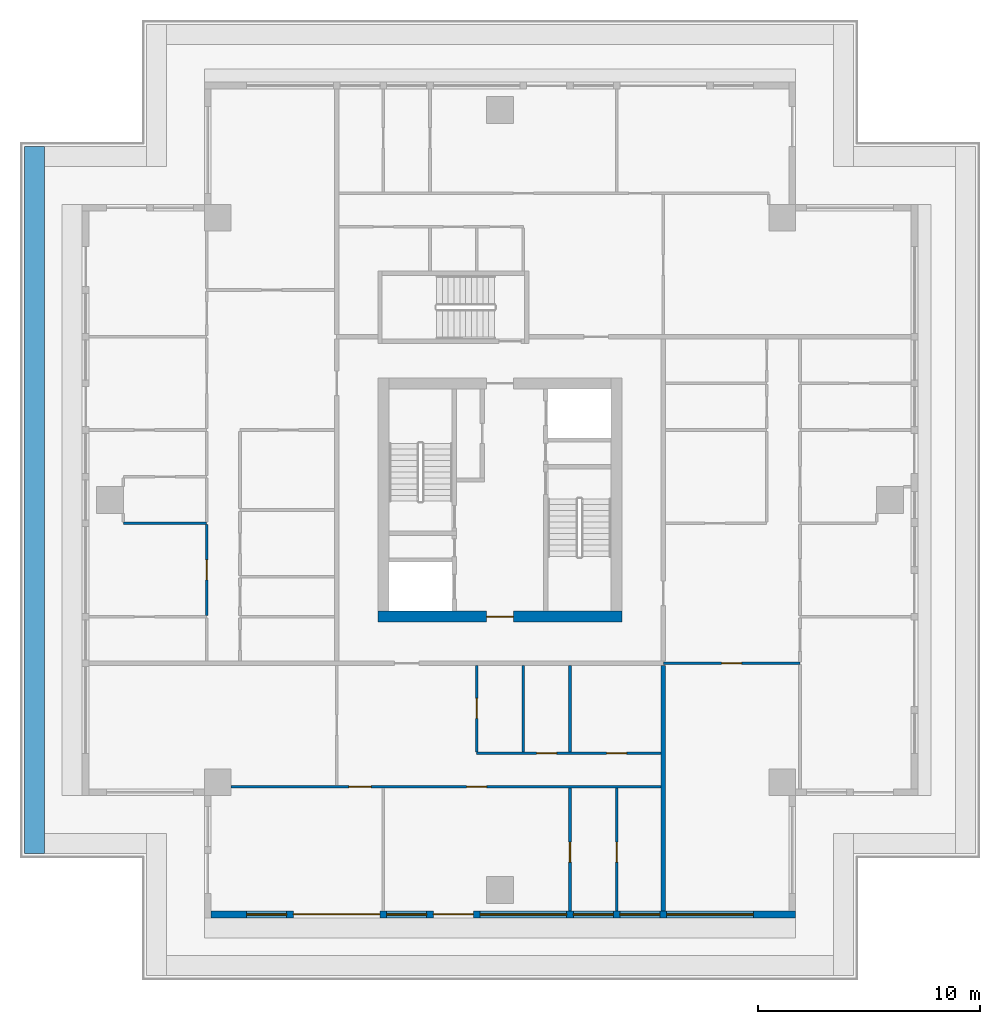
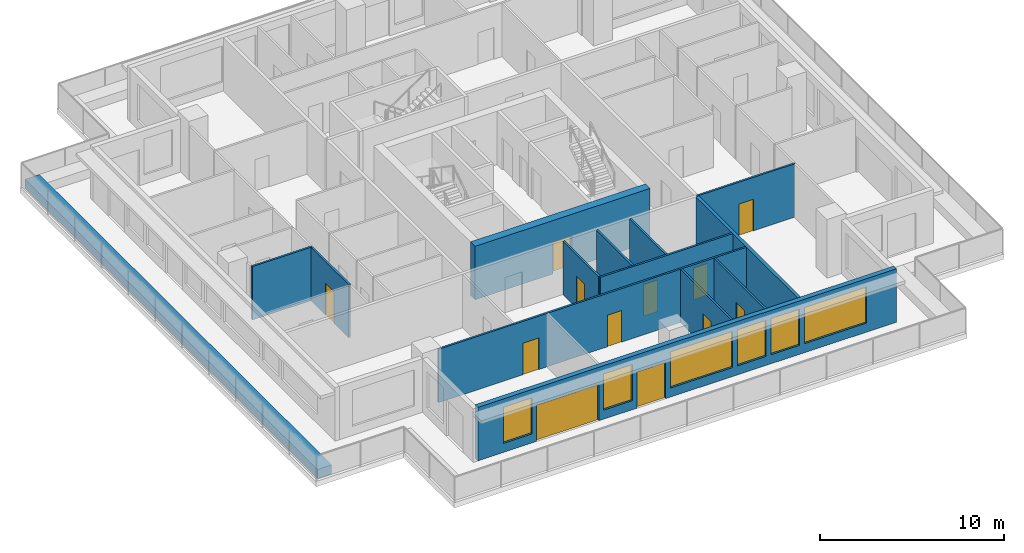
# One storey, part 2 of 10: 14 walls, 12 doors, 6 windows, 18 openings.
"""IFC4 building model written with IfcOpenShell, lengths in metres."""

from ifc_helpers import new_model, si_unit, direction, frame, frame_2d, origin, place, context, subcontext, project, spatial, rectangle, extrude, material, layer, layer_set, type_object, element, fill, save


model = new_model("IFC4")

# Units and contexts
model_context = context("Model", 3, precision=1e-05, world=origin(), true_north=direction((0.0, 1.0)))
body_context = subcontext(model_context, "Body", "Model", "MODEL_VIEW")
ifc_project = project(units=[si_unit("LENGTHUNIT", "METRE"), si_unit("AREAUNIT", "SQUARE_METRE"), si_unit("VOLUMEUNIT", "CUBIC_METRE"), si_unit("PLANEANGLEUNIT", "RADIAN"), si_unit("MASSUNIT", "GRAM", prefix="KILO")], contexts=[model_context])

# Site, building, storey
site_placement = place(None, origin())
site = spatial("IfcSite", under=ifc_project, at=site_placement, CompositionType="ELEMENT")
building_placement = place(site_placement, origin())
building = spatial("IfcBuilding", under=site, at=building_placement, Name="Khepri Terraces", CompositionType="ELEMENT")
storey_placement = place(building_placement, frame((0.0, 0.0, 300.60009765625)))
storey = spatial("IfcBuildingStorey", under=building, at=storey_placement, Name="L72", CompositionType="ELEMENT", Elevation=300.60009765625)

# Wall, opening, door
ifc_material_1 = material(Name="Concrete C40/50", Category="concrete")
ifc_layer_1 = layer(ifc_material_1, 0.5, Name="Concrete C40/50", Category="concrete")
ifc_layer_set_1 = layer_set([ifc_layer_1], Name="Concrete C40/50")
wall_type_1 = type_object("IfcWallType", Name="Core wall 500 C40/50", PredefinedType="SHEAR", material=ifc_layer_set_1)
wall_1_placement = place(storey_placement, frame((-5.5, -5.25, 0.0), z_axis=(0.0, 0.0, 1.0), x_axis=(1.0, 0.0, 0.0)))
wall_1 = element("IfcWall", 1, at=wall_1_placement, inside=storey, type_object=wall_type_1, Name="Core wall BX01 L72", PredefinedType="SHEAR", context=body_context, shape_type="SweptSolid", body=[
    extrude(rectangle(XDim=11.0, YDim=0.5, at=frame_2d((5.5, 0.0))), origin(), (0.0, 0.0, 1.0), 3.5498046875),
])
opening_1_placement = place(wall_1_placement, frame((4.89990234375, 0.0, 0.0)))
opening_1 = element("IfcOpeningElement", 2, at=opening_1_placement, cuts=wall_1, Name="Opening L72-C10", PredefinedType="OPENING", context=body_context, shape_type="SweptSolid", body=[
    extrude(rectangle(XDim=1.199951171875, YDim=2.10009765625, at=frame_2d((0.60009765625, 1.050048828125))), frame((0.0, 0.260009765625, 0.0), z_axis=(0.0, -1.0, 0.0), x_axis=(1.0, 0.0, 0.0)), (0.0, 0.0, 1.0), 0.52001953125),
])
ifc_material_2 = material(Name="Painted steel", Category="steel")
door_type_1 = type_object("IfcDoorType", Name="DR-CORE-FF-LOBBY-1200", OperationType="NOTDEFINED", PredefinedType="DOOR", material=ifc_material_2)
door_1_placement = place(opening_1_placement, frame((1.199951171875, 0.0, 0.0), z_axis=(0.0, 0.0, 1.0), x_axis=(-1.0, 0.0, 0.0)))
door_1 = element("IfcDoor", 3, at=door_1_placement, inside=storey, type_object=door_type_1, Name="Firefighting lobby door L72-C10", OperationType="SINGLE_SWING_LEFT", OverallHeight=2.10009765625, OverallWidth=1.199951171875, PredefinedType="DOOR", context=body_context, shape_type="SweptSolid", body=[
    extrude(rectangle(XDim=1.199951171875, YDim=2.10009765625, at=frame_2d((0.60009765625, 1.050048828125))), frame((0.0, 0.02490234375, 0.0), z_axis=(0.0, -1.0, 0.0), x_axis=(1.0, 0.0, 0.0)), (0.0, 0.0, 1.0), 0.050048828125),
])
fill(opening_1, door_1)

# Wall
ifc_material_3 = material(Name="Fire-rated gypsum plasterboard partition, mineral wool")
ifc_layer_2 = layer(ifc_material_3, 0.199951171875, Name="Fire-rated gypsum plasterboard partition, mineral wool")
ifc_layer_set_2 = layer_set([ifc_layer_2], Name="Fire-rated gypsum plasterboard partition, mineral wool")
wall_type_2 = type_object("IfcWallType", Name="WL-CORR-200", PredefinedType="PARTITIONING", material=ifc_layer_set_2)
wall_2_placement = place(storey_placement, frame((7.35009765625, -18.5, 0.0), z_axis=(0.0, 0.0, 1.0), x_axis=(0.0, 1.0, 0.0)))
element("IfcWall", 4, at=wall_2_placement, inside=storey, type_object=wall_type_2, Name="Partition P-004 L72", PredefinedType="PARTITIONING", context=body_context, shape_type="SweptSolid", body=[
    extrude(rectangle(XDim=11.050048828125, YDim=0.199951171875, at=frame_2d((5.52490234375, 0.0))), origin(), (0.0, 0.0, 1.0), 3.5498046875),
])

# Wall, openings, doors, windows
ifc_material_4 = material(Name="Precast concrete C50/60 warm stone", Category="masonry")
ifc_layer_3 = layer(ifc_material_4, 0.300048828125, Name="Precast concrete C50/60 warm stone", Category="masonry")
ifc_layer_set_3 = layer_set([ifc_layer_3], Name="Precast concrete C50/60 warm stone")
wall_type_3 = type_object("IfcWallType", Name="WL-EXT-PRECAST-300", PredefinedType="STANDARD", material=ifc_layer_set_3)
wall_3_placement = place(storey_placement, frame((-13.0, -18.64990234375, 0.0), z_axis=(0.0, 0.0, 1.0), x_axis=(1.0, 0.0, 0.0)))
wall_3 = element("IfcWall", 5, at=wall_3_placement, inside=storey, type_object=wall_type_3, Name="External wall L72 S", PredefinedType="STANDARD", context=body_context, shape_type="SweptSolid", body=[
    extrude(rectangle(XDim=26.300048828125, YDim=0.300048828125, at=frame_2d((13.14990234375, 0.0))), origin(), (0.0, 0.0, 1.0), 3.5498046875),
])
opening_2_placement = place(wall_3_placement, frame((1.60009765625, 0.0, 0.60009765625)))
opening_2 = element("IfcOpeningElement", 6, at=opening_2_placement, cuts=wall_3, Name="Opening WC1", PredefinedType="OPENING", context=body_context, shape_type="SweptSolid", body=[
    extrude(rectangle(XDim=1.800048828125, YDim=2.39990234375, at=frame_2d((0.89990234375, 1.199951171875))), frame((0.0, 0.16015625, 0.0), z_axis=(0.0, -1.0, 0.0), x_axis=(1.0, 0.0, 0.0)), (0.0, 0.0, 1.0), 0.320068359375),
])
opening_3_placement = place(wall_3_placement, frame((3.699951171875, 0.0, 0.0)))
opening_3 = element("IfcOpeningElement", 7, at=opening_3_placement, cuts=wall_3, Name="Opening ED-L72-11", PredefinedType="OPENING", context=body_context, shape_type="SweptSolid", body=[
    extrude(rectangle(XDim=3.89990234375, YDim=2.39990234375, at=frame_2d((1.949951171875, 1.199951171875))), frame((0.0, 0.16015625, 0.0), z_axis=(0.0, -1.0, 0.0), x_axis=(1.0, 0.0, 0.0)), (0.0, 0.0, 1.0), 0.320068359375),
])
opening_4_placement = place(wall_3_placement, frame((7.89990234375, 0.0, 0.60009765625)))
opening_4 = element("IfcOpeningElement", 8, at=opening_4_placement, cuts=wall_3, Name="Opening WC1", PredefinedType="OPENING", context=body_context, shape_type="SweptSolid", body=[
    extrude(rectangle(XDim=1.800048828125, YDim=2.39990234375, at=frame_2d((0.89990234375, 1.199951171875))), frame((0.0, 0.16015625, 0.0), z_axis=(0.0, -1.0, 0.0), x_axis=(1.0, 0.0, 0.0)), (0.0, 0.0, 1.0), 0.320068359375),
])
opening_5_placement = place(wall_3_placement, frame((10.0, 0.0, 0.0)))
opening_5 = element("IfcOpeningElement", 9, at=opening_5_placement, cuts=wall_3, Name="Opening ED-L72-12", PredefinedType="OPENING", context=body_context, shape_type="SweptSolid", body=[
    extrude(rectangle(XDim=1.800048828125, YDim=2.39990234375, at=frame_2d((0.89990234375, 1.199951171875))), frame((0.0, 0.16015625, 0.0), z_axis=(0.0, -1.0, 0.0), x_axis=(1.0, 0.0, 0.0)), (0.0, 0.0, 1.0), 0.320068359375),
])
opening_6_placement = place(wall_3_placement, frame((12.10009765625, 0.0, 0.60009765625)))
opening_6 = element("IfcOpeningElement", 10, at=opening_6_placement, cuts=wall_3, Name="Opening WC2", PredefinedType="OPENING", context=body_context, shape_type="SweptSolid", body=[
    extrude(rectangle(XDim=3.89990234375, YDim=2.39990234375, at=frame_2d((1.949951171875, 1.199951171875))), frame((0.0, 0.16015625, 0.0), z_axis=(0.0, -1.0, 0.0), x_axis=(1.0, 0.0, 0.0)), (0.0, 0.0, 1.0), 0.320068359375),
])
opening_7_placement = place(wall_3_placement, frame((16.300048828125, 0.0, 0.60009765625)))
opening_7 = element("IfcOpeningElement", 11, at=opening_7_placement, cuts=wall_3, Name="Opening WC1", PredefinedType="OPENING", context=body_context, shape_type="SweptSolid", body=[
    extrude(rectangle(XDim=1.800048828125, YDim=2.39990234375, at=frame_2d((0.89990234375, 1.199951171875))), frame((0.0, 0.16015625, 0.0), z_axis=(0.0, -1.0, 0.0), x_axis=(1.0, 0.0, 0.0)), (0.0, 0.0, 1.0), 0.320068359375),
])
opening_8_placement = place(wall_3_placement, frame((18.39990234375, 0.0, 0.60009765625)))
opening_8 = element("IfcOpeningElement", 12, at=opening_8_placement, cuts=wall_3, Name="Opening WC1", PredefinedType="OPENING", context=body_context, shape_type="SweptSolid", body=[
    extrude(rectangle(XDim=1.800048828125, YDim=2.39990234375, at=frame_2d((0.89990234375, 1.199951171875))), frame((0.0, 0.16015625, 0.0), z_axis=(0.0, -1.0, 0.0), x_axis=(1.0, 0.0, 0.0)), (0.0, 0.0, 1.0), 0.320068359375),
])
opening_9_placement = place(wall_3_placement, frame((20.5, 0.0, 0.60009765625)))
opening_9 = element("IfcOpeningElement", 13, at=opening_9_placement, cuts=wall_3, Name="Opening WC2", PredefinedType="OPENING", context=body_context, shape_type="SweptSolid", body=[
    extrude(rectangle(XDim=3.89990234375, YDim=2.39990234375, at=frame_2d((1.949951171875, 1.199951171875))), frame((0.0, 0.16015625, 0.0), z_axis=(0.0, -1.0, 0.0), x_axis=(1.0, 0.0, 0.0)), (0.0, 0.0, 1.0), 0.320068359375),
])
ifc_material_5 = material(Name="Anodised aluminium bronze glazed door", Category="aluminium")
door_type_2 = type_object("IfcDoorType", Name="DR-BAL-SLIDE-1800x2400", OperationType="NOTDEFINED", PredefinedType="DOOR", material=ifc_material_5)
door_2_placement = place(opening_5_placement, origin())
door_2 = element("IfcDoor", 14, at=door_2_placement, inside=storey, type_object=door_type_2, Name="Balcony door L72 S", OperationType="SLIDING_TO_RIGHT", OverallHeight=2.39990234375, OverallWidth=1.800048828125, PredefinedType="DOOR", context=body_context, shape_type="SweptSolid", body=[
    extrude(rectangle(XDim=1.800048828125, YDim=2.39990234375, at=frame_2d((0.89990234375, 1.199951171875))), frame((0.0, 0.02490234375, 0.0), z_axis=(0.0, -1.0, 0.0), x_axis=(1.0, 0.0, 0.0)), (0.0, 0.0, 1.0), 0.050048828125),
])
fill(opening_5, door_2)
door_type_3 = type_object("IfcDoorType", Name="DR-BAL-SLIDE-3900x2400", OperationType="NOTDEFINED", PredefinedType="DOOR", material=ifc_material_5)
door_3_placement = place(opening_3_placement, origin())
door_3 = element("IfcDoor", 15, at=door_3_placement, inside=storey, type_object=door_type_3, Name="Balcony door L72 S", OperationType="SLIDING_TO_LEFT", OverallHeight=2.39990234375, OverallWidth=3.89990234375, PredefinedType="DOOR", context=body_context, shape_type="SweptSolid", body=[
    extrude(rectangle(XDim=3.89990234375, YDim=2.39990234375, at=frame_2d((1.949951171875, 1.199951171875))), frame((0.0, 0.02490234375, 0.0), z_axis=(0.0, -1.0, 0.0), x_axis=(1.0, 0.0, 0.0)), (0.0, 0.0, 1.0), 0.050048828125),
])
fill(opening_3, door_3)
ifc_material_6 = material(Name="Clear glass", Category="glass")
window_type_1 = type_object("IfcWindowType", Name="WIN-CRN-1800x2400", PartitioningType="SINGLE_PANEL", PredefinedType="WINDOW", material=ifc_material_6)
window_1_placement = place(opening_2_placement, origin())
window_1 = element("IfcWindow", 16, at=window_1_placement, inside=storey, type_object=window_type_1, Name="Window L72 S", OverallHeight=2.39990234375, OverallWidth=1.800048828125, PartitioningType="SINGLE_PANEL", PredefinedType="WINDOW", context=body_context, shape_type="SweptSolid", body=[
    extrude(rectangle(XDim=1.800048828125, YDim=2.39990234375, at=frame_2d((0.89990234375, 1.199951171875))), frame((0.0, 0.030029296875, 0.0), z_axis=(0.0, -1.0, 0.0), x_axis=(1.0, 0.0, 0.0)), (0.0, 0.0, 1.0), 0.06005859375),
])
fill(opening_2, window_1)
window_2_placement = place(opening_4_placement, origin())
window_2 = element("IfcWindow", 17, at=window_2_placement, inside=storey, type_object=window_type_1, Name="Window L72 S", OverallHeight=2.39990234375, OverallWidth=1.800048828125, PartitioningType="SINGLE_PANEL", PredefinedType="WINDOW", context=body_context, shape_type="SweptSolid", body=[
    extrude(rectangle(XDim=1.800048828125, YDim=2.39990234375, at=frame_2d((0.89990234375, 1.199951171875))), frame((0.0, 0.030029296875, 0.0), z_axis=(0.0, -1.0, 0.0), x_axis=(1.0, 0.0, 0.0)), (0.0, 0.0, 1.0), 0.06005859375),
])
fill(opening_4, window_2)
window_3_placement = place(opening_7_placement, origin())
window_3 = element("IfcWindow", 18, at=window_3_placement, inside=storey, type_object=window_type_1, Name="Window L72 S", OverallHeight=2.39990234375, OverallWidth=1.800048828125, PartitioningType="SINGLE_PANEL", PredefinedType="WINDOW", context=body_context, shape_type="SweptSolid", body=[
    extrude(rectangle(XDim=1.800048828125, YDim=2.39990234375, at=frame_2d((0.89990234375, 1.199951171875))), frame((0.0, 0.030029296875, 0.0), z_axis=(0.0, -1.0, 0.0), x_axis=(1.0, 0.0, 0.0)), (0.0, 0.0, 1.0), 0.06005859375),
])
fill(opening_7, window_3)
window_4_placement = place(opening_8_placement, origin())
window_4 = element("IfcWindow", 19, at=window_4_placement, inside=storey, type_object=window_type_1, Name="Window L72 S", OverallHeight=2.39990234375, OverallWidth=1.800048828125, PartitioningType="SINGLE_PANEL", PredefinedType="WINDOW", context=body_context, shape_type="SweptSolid", body=[
    extrude(rectangle(XDim=1.800048828125, YDim=2.39990234375, at=frame_2d((0.89990234375, 1.199951171875))), frame((0.0, 0.030029296875, 0.0), z_axis=(0.0, -1.0, 0.0), x_axis=(1.0, 0.0, 0.0)), (0.0, 0.0, 1.0), 0.06005859375),
])
fill(opening_8, window_4)
window_type_2 = type_object("IfcWindowType", Name="WIN-CRN-3900x2400", PartitioningType="SINGLE_PANEL", PredefinedType="WINDOW", material=ifc_material_6)
window_5_placement = place(opening_6_placement, origin())
window_5 = element("IfcWindow", 20, at=window_5_placement, inside=storey, type_object=window_type_2, Name="Window L72 S", OverallHeight=2.39990234375, OverallWidth=3.89990234375, PartitioningType="SINGLE_PANEL", PredefinedType="WINDOW", context=body_context, shape_type="SweptSolid", body=[
    extrude(rectangle(XDim=3.89990234375, YDim=2.39990234375, at=frame_2d((1.949951171875, 1.199951171875))), frame((0.0, 0.030029296875, 0.0), z_axis=(0.0, -1.0, 0.0), x_axis=(1.0, 0.0, 0.0)), (0.0, 0.0, 1.0), 0.06005859375),
])
fill(opening_6, window_5)
window_6_placement = place(opening_9_placement, origin())
window_6 = element("IfcWindow", 21, at=window_6_placement, inside=storey, type_object=window_type_2, Name="Window L72 S", OverallHeight=2.39990234375, OverallWidth=3.89990234375, PartitioningType="SINGLE_PANEL", PredefinedType="WINDOW", context=body_context, shape_type="SweptSolid", body=[
    extrude(rectangle(XDim=3.89990234375, YDim=2.39990234375, at=frame_2d((1.949951171875, 1.199951171875))), frame((0.0, 0.030029296875, 0.0), z_axis=(0.0, -1.0, 0.0), x_axis=(1.0, 0.0, 0.0)), (0.0, 0.0, 1.0), 0.06005859375),
])
fill(opening_9, window_6)

# Wall, opening, door
ifc_material_7 = material(Name="Gypsum plasterboard partition")
ifc_layer_4 = layer(ifc_material_7, 0.1201171875, Name="Gypsum plasterboard partition")
ifc_layer_set_4 = layer_set([ifc_layer_4], Name="Gypsum plasterboard partition")
wall_type_4 = type_object("IfcWallType", Name="WL-PART-120", PredefinedType="PARTITIONING", material=ifc_layer_set_4)
wall_4_placement = place(storey_placement, frame((3.14990234375, -18.5, 0.0), z_axis=(0.0, 0.0, 1.0), x_axis=(0.0, 1.0, 0.0)))
wall_4 = element("IfcWall", 22, at=wall_4_placement, inside=storey, type_object=wall_type_4, Name="Partition P-002 L72", PredefinedType="PARTITIONING", context=body_context, shape_type="SweptSolid", body=[
    extrude(rectangle(XDim=5.5400390625, YDim=0.1201171875, at=frame_2d((2.77001953125, 0.0))), origin(), (0.0, 0.0, 1.0), 3.5498046875),
])
opening_10_placement = place(wall_4_placement, frame((2.199951171875, 0.0, 0.0)))
opening_10 = element("IfcOpeningElement", 23, at=opening_10_placement, cuts=wall_4, Name="Opening D3", PredefinedType="OPENING", context=body_context, shape_type="SweptSolid", body=[
    extrude(rectangle(XDim=0.89990234375, YDim=2.10009765625, at=frame_2d((0.449951171875, 1.050048828125))), frame((0.0, 0.070068359375, 0.0), z_axis=(0.0, -1.0, 0.0), x_axis=(1.0, 0.0, 0.0)), (0.0, 0.0, 1.0), 0.14013671875),
])
ifc_material_8 = material(Name="Timber door leaf", Category="wood")
door_type_4 = type_object("IfcDoorType", Name="DR-INT-900", OperationType="NOTDEFINED", PredefinedType="DOOR", material=ifc_material_8)
door_4_placement = place(opening_10_placement, frame((0.89990234375, 0.0, 0.0), z_axis=(0.0, 0.0, 1.0), x_axis=(-1.0, 0.0, 0.0)))
door_4 = element("IfcDoor", 24, at=door_4_placement, inside=storey, type_object=door_type_4, Name="Door Dressing Room", OperationType="SINGLE_SWING_RIGHT", OverallHeight=2.10009765625, OverallWidth=0.89990234375, PredefinedType="DOOR", context=body_context, shape_type="SweptSolid", body=[
    extrude(rectangle(XDim=0.89990234375, YDim=2.10009765625, at=frame_2d((0.449951171875, 1.050048828125))), frame((0.0, 0.02490234375, 0.0), z_axis=(0.0, -1.0, 0.0), x_axis=(1.0, 0.0, 0.0)), (0.0, 0.0, 1.0), 0.050048828125),
])
fill(opening_10, door_4)

wall_5_placement = place(storey_placement, frame((5.25, -18.5, 0.0), z_axis=(0.0, 0.0, 1.0), x_axis=(0.0, 1.0, 0.0)))
wall_5 = element("IfcWall", 25, at=wall_5_placement, inside=storey, type_object=wall_type_4, Name="Partition P-003 L72", PredefinedType="PARTITIONING", context=body_context, shape_type="SweptSolid", body=[
    extrude(rectangle(XDim=5.5400390625, YDim=0.1201171875, at=frame_2d((2.77001953125, 0.0))), origin(), (0.0, 0.0, 1.0), 3.5498046875),
])
opening_11_placement = place(wall_5_placement, frame((2.199951171875, 0.0, 0.0)))
opening_11 = element("IfcOpeningElement", 26, at=opening_11_placement, cuts=wall_5, Name="Opening D4", PredefinedType="OPENING", context=body_context, shape_type="SweptSolid", body=[
    extrude(rectangle(XDim=0.89990234375, YDim=2.10009765625, at=frame_2d((0.449951171875, 1.050048828125))), frame((0.0, 0.070068359375, 0.0), z_axis=(0.0, -1.0, 0.0), x_axis=(1.0, 0.0, 0.0)), (0.0, 0.0, 1.0), 0.14013671875),
])
ifc_material_9 = material(Name="Timber door leaf, moisture resistant", Category="wood")
door_type_5 = type_object("IfcDoorType", Name="DR-WET-900", OperationType="NOTDEFINED", PredefinedType="DOOR", material=ifc_material_9)
door_5_placement = place(opening_11_placement, frame((0.89990234375, 0.0, 0.0), z_axis=(0.0, 0.0, 1.0), x_axis=(-1.0, 0.0, 0.0)))
door_5 = element("IfcDoor", 27, at=door_5_placement, inside=storey, type_object=door_type_5, Name="Door Bathroom", OperationType="SINGLE_SWING_RIGHT", OverallHeight=2.10009765625, OverallWidth=0.89990234375, PredefinedType="DOOR", context=body_context, shape_type="SweptSolid", body=[
    extrude(rectangle(XDim=0.89990234375, YDim=2.10009765625, at=frame_2d((0.449951171875, 1.050048828125))), frame((0.0, 0.02490234375, 0.0), z_axis=(0.0, -1.0, 0.0), x_axis=(1.0, 0.0, 0.0)), (0.0, 0.0, 1.0), 0.050048828125),
])
fill(opening_11, door_5)

# Wall, openings, doors
wall_6_placement = place(storey_placement, frame((-12.10009765625, -12.89990234375, 0.0), z_axis=(0.0, 0.0, 1.0), x_axis=(1.0, 0.0, 0.0)))
wall_6 = element("IfcWall", 28, at=wall_6_placement, inside=storey, type_object=wall_type_4, Name="Partition P-006 L72", PredefinedType="PARTITIONING", context=body_context, shape_type="SweptSolid", body=[
    extrude(rectangle(XDim=19.35009765625, YDim=0.1201171875, at=frame_2d((9.675048828125, 0.0))), origin(), (0.0, 0.0, 1.0), 3.5498046875),
])
opening_12_placement = place(wall_6_placement, frame((5.300048828125, 0.0, 0.0)))
opening_12 = element("IfcOpeningElement", 29, at=opening_12_placement, cuts=wall_6, Name="Opening D2", PredefinedType="OPENING", context=body_context, shape_type="SweptSolid", body=[
    extrude(rectangle(XDim=1.0, YDim=2.10009765625, at=frame_2d((0.5, 1.050048828125))), frame((0.0, 0.070068359375, 0.0), z_axis=(0.0, -1.0, 0.0), x_axis=(1.0, 0.0, 0.0)), (0.0, 0.0, 1.0), 0.14013671875),
])
opening_13_placement = place(wall_6_placement, frame((10.60009765625, 0.0, 0.0)))
opening_13 = element("IfcOpeningElement", 30, at=opening_13_placement, cuts=wall_6, Name="Opening D3", PredefinedType="OPENING", context=body_context, shape_type="SweptSolid", body=[
    extrude(rectangle(XDim=0.89990234375, YDim=2.10009765625, at=frame_2d((0.449951171875, 1.050048828125))), frame((0.0, 0.070068359375, 0.0), z_axis=(0.0, -1.0, 0.0), x_axis=(1.0, 0.0, 0.0)), (0.0, 0.0, 1.0), 0.14013671875),
])
ifc_material_10 = material(Name="Timber door leaf, living room door", Category="wood")
door_type_6 = type_object("IfcDoorType", Name="DR-INT-1000", OperationType="NOTDEFINED", PredefinedType="DOOR", material=ifc_material_10)
door_6_placement = place(opening_12_placement, frame((1.0, 0.0, 0.0), z_axis=(0.0, 0.0, 1.0), x_axis=(-1.0, 0.0, 0.0)))
door_6 = element("IfcDoor", 31, at=door_6_placement, inside=storey, type_object=door_type_6, Name="Door Living Room", OperationType="SINGLE_SWING_RIGHT", OverallHeight=2.10009765625, OverallWidth=1.0, PredefinedType="DOOR", context=body_context, shape_type="SweptSolid", body=[
    extrude(rectangle(XDim=1.0, YDim=2.10009765625, at=frame_2d((0.5, 1.050048828125))), frame((0.0, 0.02490234375, 0.0), z_axis=(0.0, -1.0, 0.0), x_axis=(1.0, 0.0, 0.0)), (0.0, 0.0, 1.0), 0.050048828125),
])
fill(opening_12, door_6)
door_7_placement = place(opening_13_placement, frame((0.89990234375, 0.0, 0.0), z_axis=(0.0, 0.0, 1.0), x_axis=(-1.0, 0.0, 0.0)))
door_7 = element("IfcDoor", 32, at=door_7_placement, inside=storey, type_object=door_type_4, Name="Door Master Bedroom", OperationType="SINGLE_SWING_LEFT", OverallHeight=2.10009765625, OverallWidth=0.89990234375, PredefinedType="DOOR", context=body_context, shape_type="SweptSolid", body=[
    extrude(rectangle(XDim=0.89990234375, YDim=2.10009765625, at=frame_2d((0.449951171875, 1.050048828125))), frame((0.0, 0.02490234375, 0.0), z_axis=(0.0, -1.0, 0.0), x_axis=(1.0, 0.0, 0.0)), (0.0, 0.0, 1.0), 0.050048828125),
])
fill(opening_13, door_7)

wall_7_placement = place(storey_placement, frame((-1.050048828125, -11.39990234375, 0.0), z_axis=(0.0, 0.0, 1.0), x_axis=(1.0, 0.0, 0.0)))
wall_7 = element("IfcWall", 33, at=wall_7_placement, inside=storey, type_object=wall_type_4, Name="Partition P-008 L72", PredefinedType="PARTITIONING", context=body_context, shape_type="SweptSolid", body=[
    extrude(rectangle(XDim=8.300048828125, YDim=0.1201171875, at=frame_2d((4.14990234375, 0.0))), origin(), (0.0, 0.0, 1.0), 3.5498046875),
])
opening_14_placement = place(wall_7_placement, frame((2.699951171875, 0.0, 0.0)))
opening_14 = element("IfcOpeningElement", 34, at=opening_14_placement, cuts=wall_7, Name="Opening D3", PredefinedType="OPENING", context=body_context, shape_type="SweptSolid", body=[
    extrude(rectangle(XDim=0.89990234375, YDim=2.10009765625, at=frame_2d((0.449951171875, 1.050048828125))), frame((0.0, 0.070068359375, 0.0), z_axis=(0.0, -1.0, 0.0), x_axis=(1.0, 0.0, 0.0)), (0.0, 0.0, 1.0), 0.14013671875),
])
opening_15_placement = place(wall_7_placement, frame((5.85009765625, 0.0, 0.0)))
opening_15 = element("IfcOpeningElement", 35, at=opening_15_placement, cuts=wall_7, Name="Opening D3", PredefinedType="OPENING", context=body_context, shape_type="SweptSolid", body=[
    extrude(rectangle(XDim=0.89990234375, YDim=2.10009765625, at=frame_2d((0.449951171875, 1.050048828125))), frame((0.0, 0.070068359375, 0.0), z_axis=(0.0, -1.0, 0.0), x_axis=(1.0, 0.0, 0.0)), (0.0, 0.0, 1.0), 0.14013671875),
])
door_8_placement = place(opening_14_placement, origin())
door_8 = element("IfcDoor", 36, at=door_8_placement, inside=storey, type_object=door_type_4, Name="Door Kitchen", OperationType="SINGLE_SWING_LEFT", OverallHeight=2.10009765625, OverallWidth=0.89990234375, PredefinedType="DOOR", context=body_context, shape_type="SweptSolid", body=[
    extrude(rectangle(XDim=0.89990234375, YDim=2.10009765625, at=frame_2d((0.449951171875, 1.050048828125))), frame((0.0, 0.02490234375, 0.0), z_axis=(0.0, -1.0, 0.0), x_axis=(1.0, 0.0, 0.0)), (0.0, 0.0, 1.0), 0.050048828125),
])
fill(opening_14, door_8)
door_9_placement = place(opening_15_placement, origin())
door_9 = element("IfcDoor", 37, at=door_9_placement, inside=storey, type_object=door_type_4, Name="Door Staff Bedroom", OperationType="SINGLE_SWING_RIGHT", OverallHeight=2.10009765625, OverallWidth=0.89990234375, PredefinedType="DOOR", context=body_context, shape_type="SweptSolid", body=[
    extrude(rectangle(XDim=0.89990234375, YDim=2.10009765625, at=frame_2d((0.449951171875, 1.050048828125))), frame((0.0, 0.02490234375, 0.0), z_axis=(0.0, -1.0, 0.0), x_axis=(1.0, 0.0, 0.0)), (0.0, 0.0, 1.0), 0.050048828125),
])
fill(opening_15, door_9)

# Wall, opening, door
wall_8_placement = place(storey_placement, frame((-1.050048828125, -11.340087890625, 0.0), z_axis=(0.0, 0.0, 1.0), x_axis=(0.0, 1.0, 0.0)))
wall_8 = element("IfcWall", 38, at=wall_8_placement, inside=storey, type_object=wall_type_4, Name="Partition P-009 L72", PredefinedType="PARTITIONING", context=body_context, shape_type="SweptSolid", body=[
    extrude(rectangle(XDim=3.89013671875, YDim=0.1201171875, at=frame_2d((1.945068359375, 0.0))), origin(), (0.0, 0.0, 1.0), 3.5498046875),
])
opening_16_placement = place(wall_8_placement, frame((1.514892578125, 0.0, 0.0)))
opening_16 = element("IfcOpeningElement", 39, at=opening_16_placement, cuts=wall_8, Name="Opening D4", PredefinedType="OPENING", context=body_context, shape_type="SweptSolid", body=[
    extrude(rectangle(XDim=0.89990234375, YDim=2.10009765625, at=frame_2d((0.449951171875, 1.050048828125))), frame((0.0, 0.070068359375, 0.0), z_axis=(0.0, -1.0, 0.0), x_axis=(1.0, 0.0, 0.0)), (0.0, 0.0, 1.0), 0.14013671875),
])
door_10_placement = place(opening_16_placement, frame((0.89990234375, 0.0, 0.0), z_axis=(0.0, 0.0, 1.0), x_axis=(-1.0, 0.0, 0.0)))
door_10 = element("IfcDoor", 40, at=door_10_placement, inside=storey, type_object=door_type_5, Name="Door Guest Bathroom", OperationType="SINGLE_SWING_LEFT", OverallHeight=2.10009765625, OverallWidth=0.89990234375, PredefinedType="DOOR", context=body_context, shape_type="SweptSolid", body=[
    extrude(rectangle(XDim=0.89990234375, YDim=2.10009765625, at=frame_2d((0.449951171875, 1.050048828125))), frame((0.0, 0.02490234375, 0.0), z_axis=(0.0, -1.0, 0.0), x_axis=(1.0, 0.0, 0.0)), (0.0, 0.0, 1.0), 0.050048828125),
])
fill(opening_16, door_10)

# Walls
for number, where, z_axis, x_axis, name in (
    (41, (1.050048828125, -11.340087890625, 0.0), (0.0, 0.0, 1.0), (0.0, 1.0, 0.0), "Partition P-010 L72"),
    (42, (3.14990234375, -11.340087890625, 0.0), (0.0, 0.0, 1.0), (0.0, 1.0, 0.0), "Partition P-011 L72"),
):
    element("IfcWall", number, at=place(storey_placement, frame(where, z_axis=z_axis, x_axis=x_axis)), inside=storey, type_object=wall_type_4, Name=name, PredefinedType="PARTITIONING", context=body_context, shape_type="SweptSolid", body=[
        extrude(rectangle(XDim=3.89013671875, YDim=0.1201171875, at=frame_2d((1.945068359375, 0.0))), origin(), (0.0, 0.0, 1.0), 3.5498046875),
    ])

# Wall, opening, door
wall_9_placement = place(storey_placement, frame((7.35009765625, -7.35009765625, 0.0), z_axis=(0.0, 0.0, 1.0), x_axis=(1.0, 0.0, 0.0)))
wall_9 = element("IfcWall", 43, at=wall_9_placement, inside=storey, type_object=wall_type_4, Name="Partition P-013 L72", PredefinedType="PARTITIONING", context=body_context, shape_type="SweptSolid", body=[
    extrude(rectangle(XDim=6.14990234375, YDim=0.1201171875, at=frame_2d((3.074951171875, 0.0))), origin(), (0.0, 0.0, 1.0), 3.5498046875),
])
opening_17_placement = place(wall_9_placement, frame((2.625, 0.0, 0.0)))
opening_17 = element("IfcOpeningElement", 44, at=opening_17_placement, cuts=wall_9, Name="Opening D3", PredefinedType="OPENING", context=body_context, shape_type="SweptSolid", body=[
    extrude(rectangle(XDim=0.89990234375, YDim=2.10009765625, at=frame_2d((0.449951171875, 1.050048828125))), frame((0.0, 0.070068359375, 0.0), z_axis=(0.0, -1.0, 0.0), x_axis=(1.0, 0.0, 0.0)), (0.0, 0.0, 1.0), 0.14013671875),
])
door_11_placement = place(opening_17_placement, frame((0.89990234375, 0.0, 0.0), z_axis=(0.0, 0.0, 1.0), x_axis=(-1.0, 0.0, 0.0)))
door_11 = element("IfcDoor", 45, at=door_11_placement, inside=storey, type_object=door_type_4, Name="Door Home Cinema", OperationType="SINGLE_SWING_LEFT", OverallHeight=2.10009765625, OverallWidth=0.89990234375, PredefinedType="DOOR", context=body_context, shape_type="SweptSolid", body=[
    extrude(rectangle(XDim=0.89990234375, YDim=2.10009765625, at=frame_2d((0.449951171875, 1.050048828125))), frame((0.0, 0.02490234375, 0.0), z_axis=(0.0, -1.0, 0.0), x_axis=(1.0, 0.0, 0.0)), (0.0, 0.0, 1.0), 0.050048828125),
])
fill(opening_17, door_11)

wall_10_placement = place(storey_placement, frame((-13.199951171875, -5.18994140625, 0.0), z_axis=(0.0, 0.0, 1.0), x_axis=(0.0, 1.0, 0.0)))
wall_10 = element("IfcWall", 46, at=wall_10_placement, inside=storey, type_object=wall_type_4, Name="Partition P-022 L72", PredefinedType="PARTITIONING", context=body_context, shape_type="SweptSolid", body=[
    extrude(rectangle(XDim=4.079833984375, YDim=0.1201171875, at=frame_2d((2.0400390625, 0.0))), origin(), (0.0, 0.0, 1.0), 3.5498046875),
])
opening_18_placement = place(wall_10_placement, frame((1.590087890625, 0.0, 0.0)))
opening_18 = element("IfcOpeningElement", 47, at=opening_18_placement, cuts=wall_10, Name="Opening D3", PredefinedType="OPENING", context=body_context, shape_type="SweptSolid", body=[
    extrude(rectangle(XDim=0.89990234375, YDim=2.10009765625, at=frame_2d((0.449951171875, 1.050048828125))), frame((0.0, 0.070068359375, 0.0), z_axis=(0.0, -1.0, 0.0), x_axis=(1.0, 0.0, 0.0)), (0.0, 0.0, 1.0), 0.14013671875),
])
door_12_placement = place(opening_18_placement, origin())
door_12 = element("IfcDoor", 48, at=door_12_placement, inside=storey, type_object=door_type_4, Name="Door Bedroom", OperationType="SINGLE_SWING_RIGHT", OverallHeight=2.10009765625, OverallWidth=0.89990234375, PredefinedType="DOOR", context=body_context, shape_type="SweptSolid", body=[
    extrude(rectangle(XDim=0.89990234375, YDim=2.10009765625, at=frame_2d((0.449951171875, 1.050048828125))), frame((0.0, 0.02490234375, 0.0), z_axis=(0.0, -1.0, 0.0), x_axis=(1.0, 0.0, 0.0)), (0.0, 0.0, 1.0), 0.050048828125),
])
fill(opening_18, door_12)

# Walls
wall_11_placement = place(storey_placement, frame((-16.948974609375, -1.050048828125, 0.0), z_axis=(0.0, 0.0, 1.0), x_axis=(1.0, 0.0, 0.0)))
element("IfcWall", 49, at=wall_11_placement, inside=storey, type_object=wall_type_4, Name="Partition P-027 L72", PredefinedType="PARTITIONING", context=body_context, shape_type="SweptSolid", body=[
    extrude(rectangle(XDim=3.7490234375, YDim=0.1201171875, at=frame_2d((1.87451171875, 0.0))), origin(), (0.0, 0.0, 1.0), 3.5498046875),
])
ifc_layer_5 = layer(ifc_material_4, 0.89990234375, Name="Precast concrete C50/60 warm stone", Category="masonry")
ifc_layer_set_5 = layer_set([ifc_layer_5], Name="Precast concrete C50/60 warm stone")
wall_type_5 = type_object("IfcWallType", Name="WL-PLANTER-900", PredefinedType="MOVABLE", material=ifc_layer_set_5)
wall_12_placement = place(storey_placement, frame((-20.949951171875, -15.89990234375, 0.0), z_axis=(0.0, 0.0, 1.0), x_axis=(0.0, 1.0, 0.0)))
element("IfcWall", 50, at=wall_12_placement, inside=storey, type_object=wall_type_5, Name="Planter L72", PredefinedType="MOVABLE", context=body_context, shape_type="SweptSolid", body=[
    extrude(rectangle(XDim=31.7998046875, YDim=0.89990234375, at=frame_2d((15.89990234375, 0.0))), origin(), (0.0, 0.0, 1.0), 0.599853515625),
])

save(model, "model.ifc")
